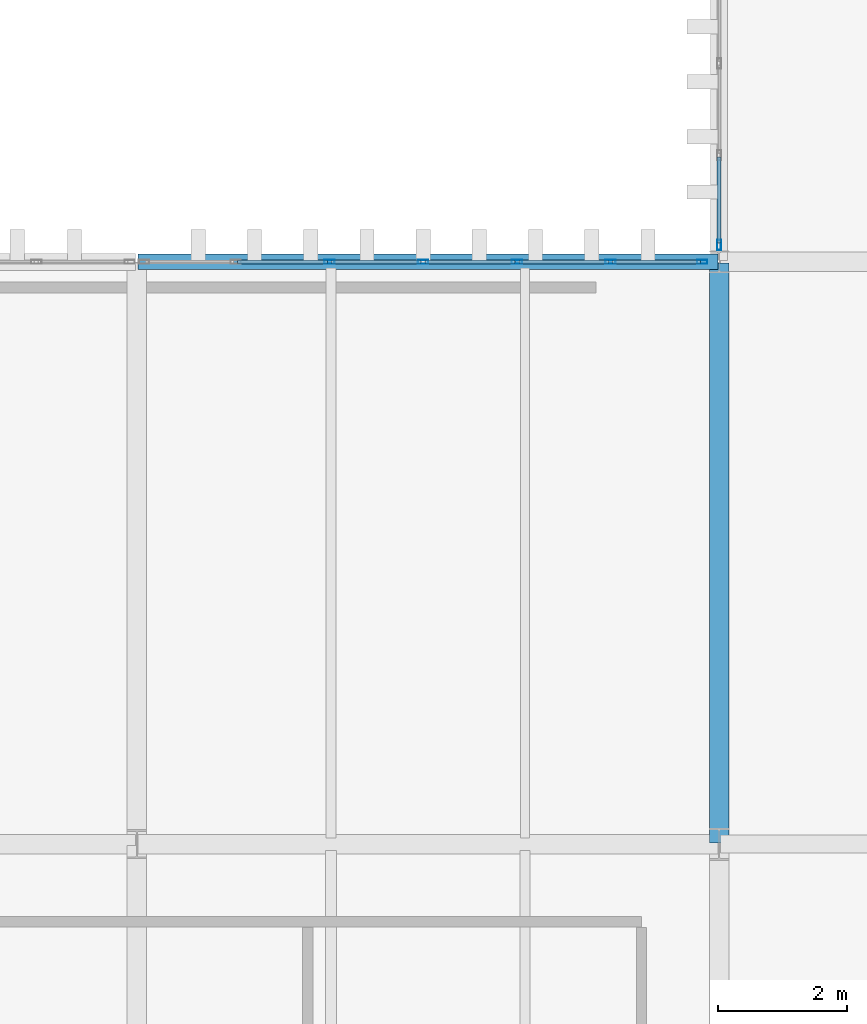
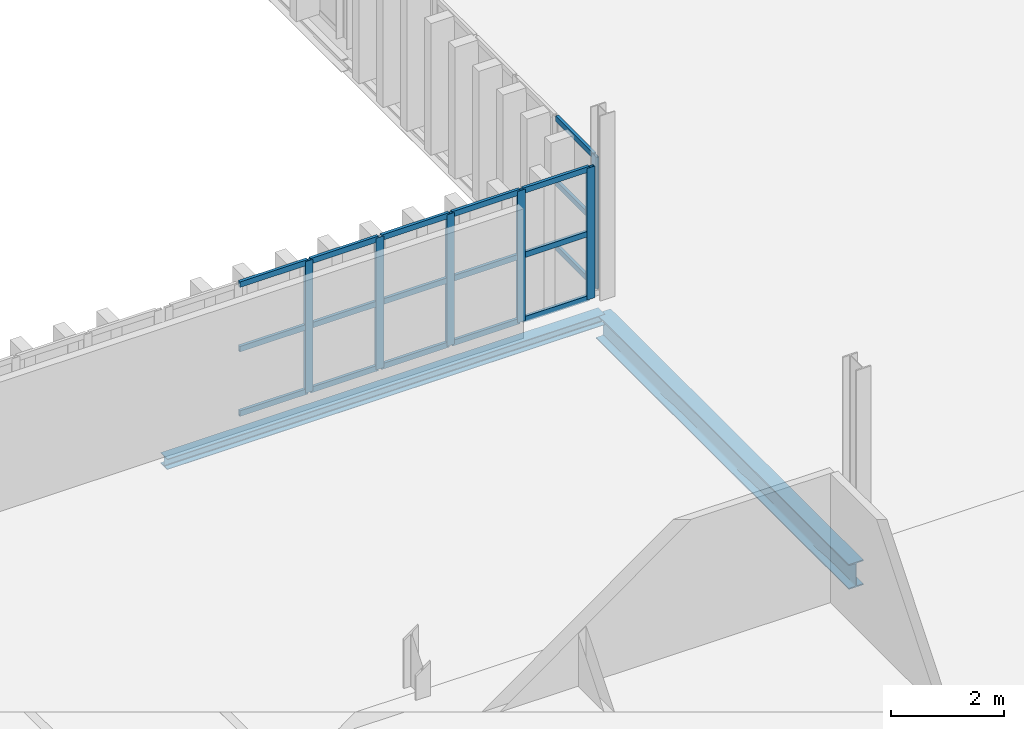
# One storey, part 47 of 102: 24 members, 2 beams, 2 elements without a shape of their own.
"""IFC4 building model written with IfcOpenShell, lengths in metres."""

from ifc_helpers import new_model, si_unit, direction, frame, origin, origin_2d, place, context, subcontext, project, spatial, hollow_rectangle, i_section, extrude, material, layer, layer_set, material_profile, profile_set, type_object, element, aggregate, save


model = new_model("IFC4")

# Units and contexts
model_context = context("Model", 3, precision=1e-05, world=origin(), true_north=direction((0.0, 1.0)))
body_context = subcontext(model_context, "Body", "Model", "MODEL_VIEW")
ifc_project = project(units=[si_unit("LENGTHUNIT", "METRE"), si_unit("AREAUNIT", "SQUARE_METRE"), si_unit("VOLUMEUNIT", "CUBIC_METRE"), si_unit("PLANEANGLEUNIT", "RADIAN"), si_unit("MASSUNIT", "GRAM", prefix="KILO")], contexts=[model_context])

# Site, building, storey
site_placement = place(None, origin())
site = spatial("IfcSite", under=ifc_project, at=site_placement, CompositionType="ELEMENT")
building_placement = place(site_placement, origin())
building = spatial("IfcBuilding", under=site, at=building_placement, Name="Barlavento Convention Centre", CompositionType="ELEMENT")
storey_placement = place(building_placement, frame((0.0, 0.0, 22.800048828125)))
storey = spatial("IfcBuildingStorey", under=building, at=storey_placement, Name="L04", CompositionType="ELEMENT", Elevation=22.800048828125)

# Curtain wall, members
ifc_material_1 = material(Name="Powder-coated aluminium and Low-E glass", Category="aluminium")
ifc_layer = layer(ifc_material_1, 0.179931640625)
ifc_layer_set = layer_set([ifc_layer], Name="ARC-CW-PATIO-B")
curtain_wall_type = type_object("IfcCurtainWallType", Name="ARC-CW-PATIO-B", PredefinedType="NOTDEFINED", material=ifc_layer_set)
curtain_wall_1_placement = place(storey_placement, origin())
curtain_wall_1 = element("IfcCurtainWall", 1, at=curtain_wall_1_placement, inside=storey, type_object=curtain_wall_type, Name="L04 unitised curtain wall CW12", PredefinedType="NOTDEFINED")
ifc_material_2 = material(Name="Powder-coated aluminium", Category="aluminium")
ifc_material_profile_1 = material_profile(ifc_material_2, hollow_rectangle(XDim=0.06005859375, YDim=0.159912109375, WallThickness=0.00390625, at=origin_2d()), Name="AL-MULL 60x160x4")
ifc_profile_set_1 = profile_set([ifc_material_profile_1], Name="Powder-coated aluminium")
member_type_1 = type_object("IfcMemberType", Name="ARC-CWM-60X160", PredefinedType="MULLION", material=ifc_profile_set_1)
member_1_placement = place(storey_placement, frame((164.9765625, 63.0, 0.0), z_axis=(0.0, 0.0, 1.0), x_axis=(0.0, 1.0, 0.0)))
member_1 = element("IfcMember", 2, at=member_1_placement, type_object=member_type_1, Name="CW12 mullion 3", PredefinedType="MULLION", context=body_context, shape_type="SweptSolid", body=[
    extrude(hollow_rectangle(XDim=0.06005859375, YDim=0.159912109375, WallThickness=0.00390625, at=origin_2d()), origin(), (0.0, 0.0, 1.0), 2.849853515625),
])
member_2_placement = place(storey_placement, frame((166.425048828125, 63.0, 0.0), z_axis=(0.0, 0.0, 1.0), x_axis=(0.0, 1.0, 0.0)))
member_2 = element("IfcMember", 3, at=member_2_placement, type_object=member_type_1, Name="CW12 mullion 4", PredefinedType="MULLION", context=body_context, shape_type="SweptSolid", body=[
    extrude(hollow_rectangle(XDim=0.06005859375, YDim=0.159912109375, WallThickness=0.00390625, at=origin_2d()), origin(), (0.0, 0.0, 1.0), 2.849853515625),
])
member_3_placement = place(storey_placement, frame((167.873291015625, 63.0, 0.0), z_axis=(0.0, 0.0, 1.0), x_axis=(0.0, 1.0, 0.0)))
member_3 = element("IfcMember", 4, at=member_3_placement, type_object=member_type_1, Name="CW12 mullion 5", PredefinedType="MULLION", context=body_context, shape_type="SweptSolid", body=[
    extrude(hollow_rectangle(XDim=0.06005859375, YDim=0.159912109375, WallThickness=0.00390625, at=origin_2d()), origin(), (0.0, 0.0, 1.0), 2.849853515625),
])
member_4_placement = place(storey_placement, frame((169.32177734375, 63.0, 0.0), z_axis=(0.0, 0.0, 1.0), x_axis=(0.0, 1.0, 0.0)))
member_4 = element("IfcMember", 5, at=member_4_placement, type_object=member_type_1, Name="CW12 mullion 6", PredefinedType="MULLION", context=body_context, shape_type="SweptSolid", body=[
    extrude(hollow_rectangle(XDim=0.06005859375, YDim=0.159912109375, WallThickness=0.00390625, at=origin_2d()), origin(), (0.0, 0.0, 1.0), 2.849853515625),
])
member_5_placement = place(storey_placement, frame((170.739990234375, 63.0, 0.0), z_axis=(0.0, 0.0, 1.0), x_axis=(0.0, 1.0, 0.0)))
member_5 = element("IfcMember", 6, at=member_5_placement, type_object=member_type_1, Name="CW12 mullion 7", PredefinedType="MULLION", context=body_context, shape_type="SweptSolid", body=[
    extrude(hollow_rectangle(XDim=0.06005859375, YDim=0.159912109375, WallThickness=0.00390625, at=origin_2d()), origin(), (0.0, 0.0, 1.0), 2.849853515625),
])

# Curtain wall, member
curtain_wall_2_placement = place(storey_placement, origin())
curtain_wall_2 = element("IfcCurtainWall", 7, at=curtain_wall_2_placement, inside=storey, type_object=curtain_wall_type, Name="L04 unitised curtain wall CW12", PredefinedType="NOTDEFINED")
member_6_placement = place(storey_placement, frame((171.0, 63.260009765625, 0.0), z_axis=(0.0, 0.0, 1.0), x_axis=(-1.0, 0.0, 0.0)))
member_6 = element("IfcMember", 8, at=member_6_placement, type_object=member_type_1, Name="CW12 mullion 1", PredefinedType="MULLION", context=body_context, shape_type="SweptSolid", body=[
    extrude(hollow_rectangle(XDim=0.06005859375, YDim=0.159912109375, WallThickness=0.00390625, at=origin_2d()), origin(), (0.0, 0.0, 1.0), 2.849853515625),
])

# Member
ifc_material_profile_2 = material_profile(ifc_material_2, hollow_rectangle(XDim=0.06005859375, YDim=0.1201171875, WallThickness=0.00390625, at=origin_2d()), Name="AL-TRAN 60x120x4")
ifc_profile_set_2 = profile_set([ifc_material_profile_2], Name="Powder-coated aluminium")
member_type_2 = type_object("IfcMemberType", Name="ARC-CWT-60X120", PredefinedType="USERDEFINED", material=ifc_profile_set_2)
member_7_placement = place(storey_placement, frame((163.558349609375, 63.0, 0.030029296875), z_axis=(1.0, 0.0, 0.0), x_axis=(0.0, 1.0, 0.0)))
member_7 = element("IfcMember", 9, at=member_7_placement, type_object=member_type_2, Name="CW12 transom 2.1", ObjectType="TRANSOM", PredefinedType="USERDEFINED", context=body_context, shape_type="SweptSolid", body=[
    extrude(hollow_rectangle(XDim=0.06005859375, YDim=0.1201171875, WallThickness=0.00390625, at=origin_2d()), origin(), (0.0, 0.0, 1.0), 1.388427734375),
])

member_8_placement = place(storey_placement, frame((163.558349609375, 63.0, 1.425048828125), z_axis=(1.0, 0.0, 0.0), x_axis=(0.0, 1.0, 0.0)))
member_8 = element("IfcMember", 10, at=member_8_placement, type_object=member_type_2, Name="CW12 transom 2.2", ObjectType="TRANSOM", PredefinedType="USERDEFINED", context=body_context, shape_type="SweptSolid", body=[
    extrude(hollow_rectangle(XDim=0.06005859375, YDim=0.1201171875, WallThickness=0.00390625, at=origin_2d()), origin(), (0.0, 0.0, 1.0), 1.388427734375),
])

member_9_placement = place(storey_placement, frame((163.558349609375, 63.0, 2.820068359375), z_axis=(1.0, 0.0, 0.0), x_axis=(0.0, 1.0, 0.0)))
member_9 = element("IfcMember", 11, at=member_9_placement, type_object=member_type_2, Name="CW12 transom 2.3", ObjectType="TRANSOM", PredefinedType="USERDEFINED", context=body_context, shape_type="SweptSolid", body=[
    extrude(hollow_rectangle(XDim=0.06005859375, YDim=0.1201171875, WallThickness=0.00390625, at=origin_2d()), origin(), (0.0, 0.0, 1.0), 1.388427734375),
])

member_10_placement = place(storey_placement, frame((165.006591796875, 63.0, 0.030029296875), z_axis=(1.0, 0.0, 0.0), x_axis=(0.0, 1.0, 0.0)))
member_10 = element("IfcMember", 12, at=member_10_placement, type_object=member_type_2, Name="CW12 transom 3.1", ObjectType="TRANSOM", PredefinedType="USERDEFINED", context=body_context, shape_type="SweptSolid", body=[
    extrude(hollow_rectangle(XDim=0.06005859375, YDim=0.1201171875, WallThickness=0.00390625, at=origin_2d()), origin(), (0.0, 0.0, 1.0), 1.388427734375),
])

member_11_placement = place(storey_placement, frame((165.006591796875, 63.0, 1.425048828125), z_axis=(1.0, 0.0, 0.0), x_axis=(0.0, 1.0, 0.0)))
member_11 = element("IfcMember", 13, at=member_11_placement, type_object=member_type_2, Name="CW12 transom 3.2", ObjectType="TRANSOM", PredefinedType="USERDEFINED", context=body_context, shape_type="SweptSolid", body=[
    extrude(hollow_rectangle(XDim=0.06005859375, YDim=0.1201171875, WallThickness=0.00390625, at=origin_2d()), origin(), (0.0, 0.0, 1.0), 1.388427734375),
])

member_12_placement = place(storey_placement, frame((165.006591796875, 63.0, 2.820068359375), z_axis=(1.0, 0.0, 0.0), x_axis=(0.0, 1.0, 0.0)))
member_12 = element("IfcMember", 14, at=member_12_placement, type_object=member_type_2, Name="CW12 transom 3.3", ObjectType="TRANSOM", PredefinedType="USERDEFINED", context=body_context, shape_type="SweptSolid", body=[
    extrude(hollow_rectangle(XDim=0.06005859375, YDim=0.1201171875, WallThickness=0.00390625, at=origin_2d()), origin(), (0.0, 0.0, 1.0), 1.388427734375),
])

member_13_placement = place(storey_placement, frame((166.455078125, 63.0, 0.030029296875), z_axis=(1.0, 0.0, 0.0), x_axis=(0.0, 1.0, 0.0)))
member_13 = element("IfcMember", 15, at=member_13_placement, type_object=member_type_2, Name="CW12 transom 4.1", ObjectType="TRANSOM", PredefinedType="USERDEFINED", context=body_context, shape_type="SweptSolid", body=[
    extrude(hollow_rectangle(XDim=0.06005859375, YDim=0.1201171875, WallThickness=0.00390625, at=origin_2d()), origin(), (0.0, 0.0, 1.0), 1.38818359375),
])

member_14_placement = place(storey_placement, frame((166.455078125, 63.0, 1.425048828125), z_axis=(1.0, 0.0, 0.0), x_axis=(0.0, 1.0, 0.0)))
member_14 = element("IfcMember", 16, at=member_14_placement, type_object=member_type_2, Name="CW12 transom 4.2", ObjectType="TRANSOM", PredefinedType="USERDEFINED", context=body_context, shape_type="SweptSolid", body=[
    extrude(hollow_rectangle(XDim=0.06005859375, YDim=0.1201171875, WallThickness=0.00390625, at=origin_2d()), origin(), (0.0, 0.0, 1.0), 1.38818359375),
])

member_15_placement = place(storey_placement, frame((166.455078125, 63.0, 2.820068359375), z_axis=(1.0, 0.0, 0.0), x_axis=(0.0, 1.0, 0.0)))
member_15 = element("IfcMember", 17, at=member_15_placement, type_object=member_type_2, Name="CW12 transom 4.3", ObjectType="TRANSOM", PredefinedType="USERDEFINED", context=body_context, shape_type="SweptSolid", body=[
    extrude(hollow_rectangle(XDim=0.06005859375, YDim=0.1201171875, WallThickness=0.00390625, at=origin_2d()), origin(), (0.0, 0.0, 1.0), 1.38818359375),
])

member_16_placement = place(storey_placement, frame((167.9033203125, 63.0, 0.030029296875), z_axis=(1.0, 0.0, 0.0), x_axis=(0.0, 1.0, 0.0)))
member_16 = element("IfcMember", 18, at=member_16_placement, type_object=member_type_2, Name="CW12 transom 5.1", ObjectType="TRANSOM", PredefinedType="USERDEFINED", context=body_context, shape_type="SweptSolid", body=[
    extrude(hollow_rectangle(XDim=0.06005859375, YDim=0.1201171875, WallThickness=0.00390625, at=origin_2d()), origin(), (0.0, 0.0, 1.0), 1.388427734375),
])

member_17_placement = place(storey_placement, frame((167.9033203125, 63.0, 1.425048828125), z_axis=(1.0, 0.0, 0.0), x_axis=(0.0, 1.0, 0.0)))
member_17 = element("IfcMember", 19, at=member_17_placement, type_object=member_type_2, Name="CW12 transom 5.2", ObjectType="TRANSOM", PredefinedType="USERDEFINED", context=body_context, shape_type="SweptSolid", body=[
    extrude(hollow_rectangle(XDim=0.06005859375, YDim=0.1201171875, WallThickness=0.00390625, at=origin_2d()), origin(), (0.0, 0.0, 1.0), 1.388427734375),
])

member_18_placement = place(storey_placement, frame((167.9033203125, 63.0, 2.820068359375), z_axis=(1.0, 0.0, 0.0), x_axis=(0.0, 1.0, 0.0)))
member_18 = element("IfcMember", 20, at=member_18_placement, type_object=member_type_2, Name="CW12 transom 5.3", ObjectType="TRANSOM", PredefinedType="USERDEFINED", context=body_context, shape_type="SweptSolid", body=[
    extrude(hollow_rectangle(XDim=0.06005859375, YDim=0.1201171875, WallThickness=0.00390625, at=origin_2d()), origin(), (0.0, 0.0, 1.0), 1.388427734375),
])

member_19_placement = place(storey_placement, frame((169.3515625, 63.0, 0.030029296875), z_axis=(1.0, 0.0, 0.0), x_axis=(0.0, 1.0, 0.0)))
member_19 = element("IfcMember", 21, at=member_19_placement, type_object=member_type_2, Name="CW12 transom 6.1", ObjectType="TRANSOM", PredefinedType="USERDEFINED", context=body_context, shape_type="SweptSolid", body=[
    extrude(hollow_rectangle(XDim=0.06005859375, YDim=0.1201171875, WallThickness=0.00390625, at=origin_2d()), origin(), (0.0, 0.0, 1.0), 1.3583984375),
])

member_20_placement = place(storey_placement, frame((169.3515625, 63.0, 1.425048828125), z_axis=(1.0, 0.0, 0.0), x_axis=(0.0, 1.0, 0.0)))
member_20 = element("IfcMember", 22, at=member_20_placement, type_object=member_type_2, Name="CW12 transom 6.2", ObjectType="TRANSOM", PredefinedType="USERDEFINED", context=body_context, shape_type="SweptSolid", body=[
    extrude(hollow_rectangle(XDim=0.06005859375, YDim=0.1201171875, WallThickness=0.00390625, at=origin_2d()), origin(), (0.0, 0.0, 1.0), 1.3583984375),
])

member_21_placement = place(storey_placement, frame((169.3515625, 63.0, 2.820068359375), z_axis=(1.0, 0.0, 0.0), x_axis=(0.0, 1.0, 0.0)))
member_21 = element("IfcMember", 23, at=member_21_placement, type_object=member_type_2, Name="CW12 transom 6.3", ObjectType="TRANSOM", PredefinedType="USERDEFINED", context=body_context, shape_type="SweptSolid", body=[
    extrude(hollow_rectangle(XDim=0.06005859375, YDim=0.1201171875, WallThickness=0.00390625, at=origin_2d()), origin(), (0.0, 0.0, 1.0), 1.3583984375),
])

aggregate(curtain_wall_1, [member_1, member_2, member_3, member_4, member_5, member_7, member_8, member_9, member_10, member_11, member_12, member_13, member_14, member_15, member_16, member_17, member_18, member_19, member_20, member_21])

member_22_placement = place(storey_placement, frame((171.0, 63.2900390625, 0.030029296875), z_axis=(0.0, 1.0, 0.0), x_axis=(-1.0, 0.0, 0.0)))
member_22 = element("IfcMember", 24, at=member_22_placement, type_object=member_type_2, Name="CW12 transom 1.1", ObjectType="TRANSOM", PredefinedType="USERDEFINED", context=body_context, shape_type="SweptSolid", body=[
    extrude(hollow_rectangle(XDim=0.06005859375, YDim=0.1201171875, WallThickness=0.00390625, at=origin_2d()), origin(), (0.0, 0.0, 1.0), 1.328369140625),
])

member_23_placement = place(storey_placement, frame((171.0, 63.2900390625, 1.425048828125), z_axis=(0.0, 1.0, 0.0), x_axis=(-1.0, 0.0, 0.0)))
member_23 = element("IfcMember", 25, at=member_23_placement, type_object=member_type_2, Name="CW12 transom 1.2", ObjectType="TRANSOM", PredefinedType="USERDEFINED", context=body_context, shape_type="SweptSolid", body=[
    extrude(hollow_rectangle(XDim=0.06005859375, YDim=0.1201171875, WallThickness=0.00390625, at=origin_2d()), origin(), (0.0, 0.0, 1.0), 1.328369140625),
])

member_24_placement = place(storey_placement, frame((171.0, 63.2900390625, 2.820068359375), z_axis=(0.0, 1.0, 0.0), x_axis=(-1.0, 0.0, 0.0)))
member_24 = element("IfcMember", 26, at=member_24_placement, type_object=member_type_2, Name="CW12 transom 1.3", ObjectType="TRANSOM", PredefinedType="USERDEFINED", context=body_context, shape_type="SweptSolid", body=[
    extrude(hollow_rectangle(XDim=0.06005859375, YDim=0.1201171875, WallThickness=0.00390625, at=origin_2d()), origin(), (0.0, 0.0, 1.0), 1.328369140625),
])

aggregate(curtain_wall_2, [member_6, member_22, member_23, member_24])

# Beams
ifc_material_3 = material(Name="Steel S355", Category="steel")
ifc_material_profile_3 = material_profile(ifc_material_3, i_section(OverallWidth=0.300048828125, OverallDepth=0.5400390625, WebThickness=0.012451171875, FlangeThickness=0.02392578125, FilletRadius=0.027099609375, at=origin_2d()), Name="HEA 550")
ifc_profile_set_3 = profile_set([ifc_material_profile_3], Name="Steel S355")
beam_type_1 = type_object("IfcBeamType", Name="STR-BM-PRI-HEA550", PredefinedType="BEAM", material=ifc_profile_set_3)
beam_1_placement = place(storey_placement, frame((171.0, 54.02001953125, -0.630126953125), z_axis=(0.0, 1.0, 0.0), x_axis=(-1.0, 0.0, 0.0)))
element("IfcBeam", 27, at=beam_1_placement, inside=storey, type_object=beam_type_1, Name="L04 grid girder BG19", PredefinedType="BEAM", context=body_context, shape_type="SweptSolid", body=[
    extrude(i_section(OverallWidth=0.300048828125, OverallDepth=0.5400390625, WebThickness=0.012451171875, FlangeThickness=0.02392578125, FilletRadius=0.027099609375, at=origin_2d()), origin(), (0.0, 0.0, 1.0), 8.9599609375),
])
ifc_material_profile_4 = material_profile(ifc_material_3, i_section(OverallWidth=0.239990234375, OverallDepth=0.22998046875, WebThickness=0.007568359375, FlangeThickness=0.011962890625, FilletRadius=0.02099609375, at=origin_2d()), Name="HEA 240")
ifc_profile_set_4 = profile_set([ifc_material_profile_4], Name="Steel S355")
beam_type_2 = type_object("IfcBeamType", Name="STR-BM-SPN-HEA240", PredefinedType="SPANDREL", material=ifc_profile_set_4)
beam_2_placement = place(storey_placement, frame((162.02001953125, 63.0, -0.47509765625), z_axis=(1.0, 0.0, 0.0), x_axis=(0.0, 1.0, 0.0)))
element("IfcBeam", 28, at=beam_2_placement, inside=storey, type_object=beam_type_2, Name="L04 primary girder SP05", PredefinedType="SPANDREL", context=body_context, shape_type="SweptSolid", body=[
    extrude(i_section(OverallWidth=0.239990234375, OverallDepth=0.22998046875, WebThickness=0.007568359375, FlangeThickness=0.011962890625, FilletRadius=0.02099609375, at=origin_2d()), origin(), (0.0, 0.0, 1.0), 8.9599609375),
])

save(model, "model.ifc")
